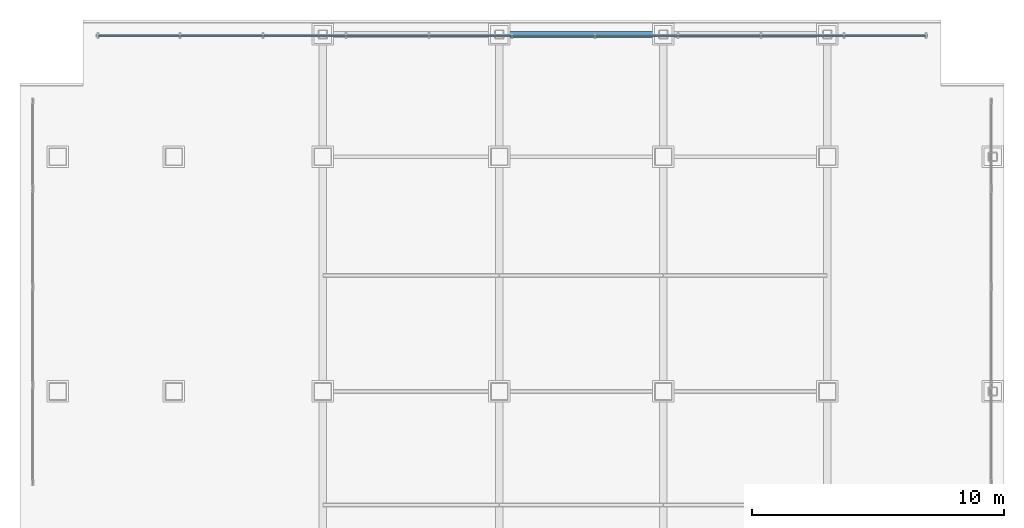
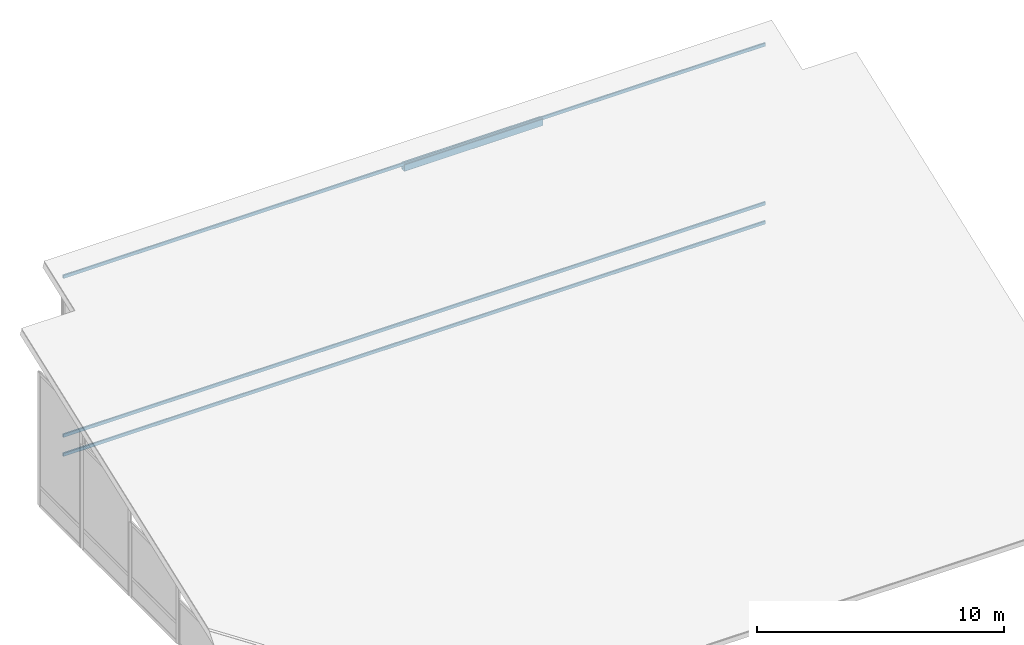
# One storey, part 8 of 12: 4 members, 1 element without a shape of its own.
"""IFC4 building model written with IfcOpenShell, lengths in metres."""

from ifc_helpers import new_model, si_unit, direction, frame, origin, origin_2d, place, context, subcontext, project, spatial, hollow_rectangle, extrude, material, material_profile, profile_set, type_object, element, aggregate, save


model = new_model("IFC4")

# Units and contexts
model_context = context("Model", 3, precision=1e-05, world=origin(), true_north=direction((0.0, 1.0)))
body_context = subcontext(model_context, "Body", "Model", "MODEL_VIEW")
ifc_project = project(units=[si_unit("LENGTHUNIT", "METRE"), si_unit("AREAUNIT", "SQUARE_METRE"), si_unit("VOLUMEUNIT", "CUBIC_METRE"), si_unit("PLANEANGLEUNIT", "RADIAN"), si_unit("MASSUNIT", "GRAM", prefix="KILO")], contexts=[model_context])

# Site, building, storey
site_placement = place(None, origin())
site = spatial("IfcSite", under=ifc_project, at=site_placement, CompositionType="ELEMENT")
building_placement = place(site_placement, origin())
building = spatial("IfcBuilding", under=site, at=building_placement, Name="Noeulbin Bourse Tower", CompositionType="ELEMENT")
storey_placement = place(building_placement, frame((0.0, 0.0, 317.39990234375)))
storey = spatial("IfcBuildingStorey", under=building, at=storey_placement, Name="RF", CompositionType="ELEMENT", Elevation=317.39990234375)

# Curtain wall, members
ifc_material_1 = material(Name="Translucent Ceramic-Fritted Glass", Category="glass")
curtain_wall_type = type_object("IfcCurtainWallType", Name="CW-SYS-5", PredefinedType="NOTDEFINED", material=ifc_material_1)
curtain_wall_placement = place(storey_placement, origin())
curtain_wall = element("IfcCurtainWall", 1, at=curtain_wall_placement, inside=storey, type_object=curtain_wall_type, Name="Unitised Curtain Wall CW-RF-CRN-N", PredefinedType="NOTDEFINED")
ifc_material_2 = material(Name="Anodised Aluminium 6063-T6", Category="aluminium")
ifc_material_profile_1 = material_profile(ifc_material_2, hollow_rectangle(XDim=0.074951171875, YDim=0.159912109375, WallThickness=0.0048828125, InnerFilletRadius=0.00244140625, OuterFilletRadius=0.0048828125, at=origin_2d()), Name="ALU-TRAN-75x160x5", Category="LoadBearing")
ifc_profile_set_1 = profile_set([ifc_material_profile_1], Name="Anodised Aluminium 6063-T6")
member_type_1 = type_object("IfcMemberType", Name="CW-SYS-5-TRN", PredefinedType="USERDEFINED", material=ifc_profile_set_1)
member_1_placement = place(storey_placement, frame((15.10009765625, 43.10009765625, 0.010009765625), z_axis=(1.0, 0.0, 0.0), x_axis=(0.0, 1.0, 0.0)))
member_1 = element("IfcMember", 2, at=member_1_placement, type_object=member_type_1, Name="Curtain Wall Transom CW-RF-CRN-N-T00", ObjectType="TRANSOM", PredefinedType="USERDEFINED", context=body_context, shape_type="SweptSolid", body=[
    extrude(hollow_rectangle(XDim=0.074951171875, YDim=0.159912109375, WallThickness=0.0048828125, InnerFilletRadius=0.00244140625, OuterFilletRadius=0.0048828125, at=origin_2d()), origin(), (0.0, 0.0, 1.0), 32.7998046875),
])
member_2_placement = place(storey_placement, frame((15.10009765625, 43.10009765625, 0.9501953125), z_axis=(1.0, 0.0, 0.0), x_axis=(0.0, 1.0, 0.0)))
member_2 = element("IfcMember", 3, at=member_2_placement, type_object=member_type_1, Name="Curtain Wall Transom CW-RF-CRN-N-T01", ObjectType="TRANSOM", PredefinedType="USERDEFINED", context=body_context, shape_type="SweptSolid", body=[
    extrude(hollow_rectangle(XDim=0.074951171875, YDim=0.159912109375, WallThickness=0.0048828125, InnerFilletRadius=0.00244140625, OuterFilletRadius=0.0048828125, at=origin_2d()), origin(), (0.0, 0.0, 1.0), 32.7998046875),
])
member_3_placement = place(storey_placement, frame((15.10009765625, 43.10009765625, 8.801513671875), z_axis=(1.0, 0.0, 0.0), x_axis=(0.0, 1.0, 0.0)))
member_3 = element("IfcMember", 4, at=member_3_placement, type_object=member_type_1, Name="Curtain Wall Transom CW-RF-CRN-N-T02", ObjectType="TRANSOM", PredefinedType="USERDEFINED", context=body_context, shape_type="SweptSolid", body=[
    extrude(hollow_rectangle(XDim=0.074951171875, YDim=0.159912109375, WallThickness=0.0048828125, InnerFilletRadius=0.00244140625, OuterFilletRadius=0.0048828125, at=origin_2d()), origin(), (0.0, 0.0, 1.0), 32.7998046875),
])
aggregate(curtain_wall, [member_1, member_2, member_3])

# Member
ifc_material_3 = material(Name="Steel S355", Category="steel")
ifc_material_profile_2 = material_profile(ifc_material_3, hollow_rectangle(XDim=0.25, YDim=0.35009765625, WallThickness=0.013916015625, InnerFilletRadius=0.013916015625, OuterFilletRadius=0.028076171875, at=origin_2d()), Name="RHS-350x250x14", Category="LoadBearing")
ifc_profile_set_2 = profile_set([ifc_material_profile_2], Name="Steel S355")
member_type_2 = type_object("IfcMemberType", Name="MEM-PRL-350", PredefinedType="PURLIN", material=ifc_profile_set_2)
member_4_placement = place(storey_placement, frame((31.010009765625, 43.14990234375, 8.630126953125), z_axis=(1.0, 0.0, 0.0), x_axis=(0.0, 1.0, 0.0)))
element("IfcMember", 5, at=member_4_placement, inside=storey, type_object=member_type_2, Name="Crown Roof Purlin 6.2", PredefinedType="PURLIN", context=body_context, shape_type="SweptSolid", body=[
    extrude(hollow_rectangle(XDim=0.25, YDim=0.35009765625, WallThickness=0.013916015625, InnerFilletRadius=0.013916015625, OuterFilletRadius=0.028076171875, at=origin_2d()), origin(), (0.0, 0.0, 1.0), 6.47998046875),
])

save(model, "model.ifc")
